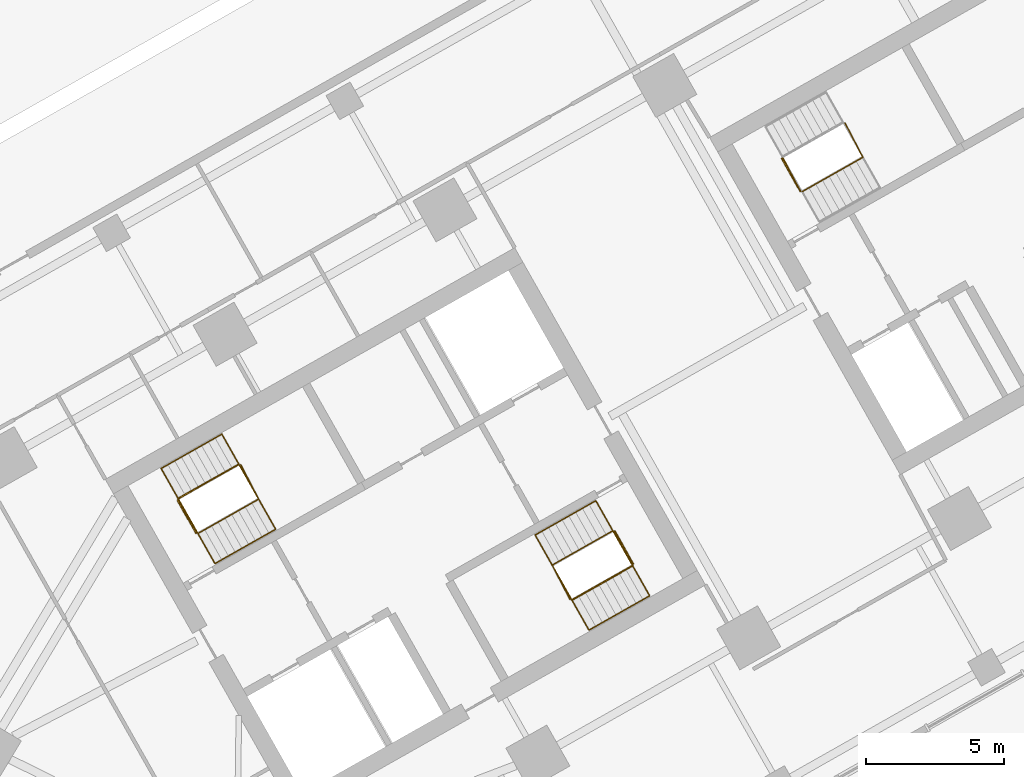
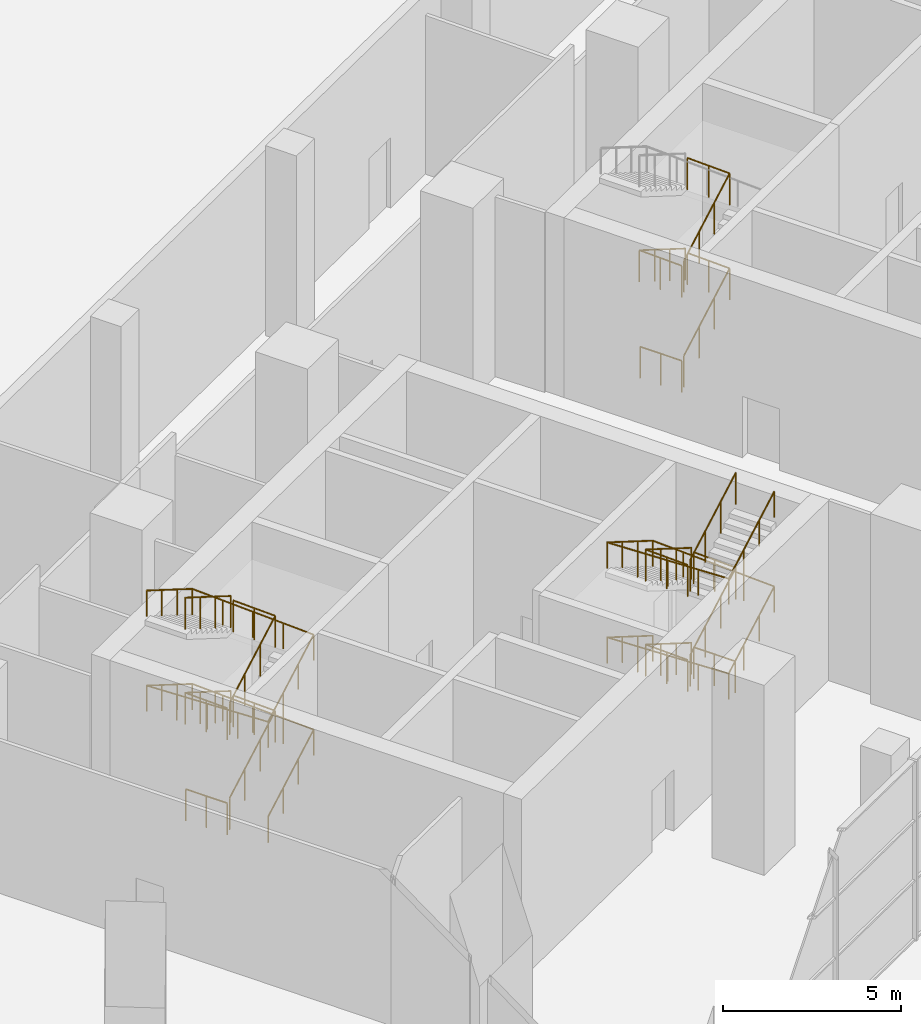
# One storey, part 19 of 22: 16 railings.
"""IFC4 building model written with IfcOpenShell, lengths in metres."""

import ifcopenshell
import ifcopenshell.guid

model = None  # the IFC model being written
_history = None  # IfcOwnerHistory: only IFC2X3 demands one
_inside = {}  # id of a spatial element -> (the spatial element, [elements in it])
_under = {}  # id of a project, library or spatial element -> (it, [spatial elements below it])
_declared = {}  # id of a project -> (the project, [libraries it declares])
_typed = {}  # id of a type object -> (the type object, [elements of that type])
_made_of = {}  # id of a material, layer set ... -> (it, [elements and type objects made of it])


def new_model(schema):
    """Start an empty IFC model of exactly this schema.

    Asked for "IFC4X3", IfcOpenShell would pick the latest addendum, in which some entities
    have other attributes; the version numbers below select the first issue.
    IFC2X3 requires an IfcOwnerHistory on every rooted entity: one is made here for all.
    """
    global model, _history
    if schema == "IFC4X3":
        model = ifcopenshell.file(schema_version=(4, 3, 0, 0))
    else:
        model = ifcopenshell.file(schema=schema)
    _inside.clear()
    _under.clear()
    _declared.clear()
    _typed.clear()
    _made_of.clear()
    _history = None
    if model.schema == "IFC2X3":
        org = make("IfcOrganization", Name="unknown")
        user = make(
            "IfcPersonAndOrganization",
            ThePerson=make("IfcPerson", FamilyName="unknown"),
            TheOrganization=org,
        )
        app = make(
            "IfcApplication",
            ApplicationDeveloper=org,
            Version="unknown",
            ApplicationFullName="unknown",
            ApplicationIdentifier="unknown",
        )
        _history = make(
            "IfcOwnerHistory",
            OwningUser=user,
            OwningApplication=app,
            ChangeAction="ADDED",
            CreationDate=0,
        )
    return model


def make(cls, **values):
    """One entity of the class cls with the attributes given. An attribute that is None is left unset."""
    return model.create_entity(
        cls, **{name: value for name, value in values.items() if value is not None}
    )


def rooted(cls, **values):
    """An entity with a GlobalId (a new one), such as an element, a storey or a relation."""
    return make(cls, GlobalId=ifcopenshell.guid.new(), OwnerHistory=_history, **values)


def si_unit(unit_type, name, prefix=None):
    """IfcSIUnit, for example si_unit("LENGTHUNIT", "METRE", prefix="MILLI")."""
    return make("IfcSIUnit", UnitType=unit_type, Prefix=prefix, Name=name)


def assignment(units):
    """IfcUnitAssignment: the units of a project."""
    return None if units is None else make("IfcUnitAssignment", Units=units)


def point(xyz):
    """IfcCartesianPoint."""
    return None if xyz is None else make("IfcCartesianPoint", Coordinates=xyz)


def direction(xyz):
    """IfcDirection."""
    return None if xyz is None else make("IfcDirection", DirectionRatios=xyz)


def frame(location, z_axis=None, x_axis=None):
    """IfcAxis2Placement3D, a coordinate frame: its origin and axes. An axis left out is left unset."""
    return make(
        "IfcAxis2Placement3D",
        Location=point(location),
        Axis=direction(z_axis),
        RefDirection=direction(x_axis),
    )


def frame_2d(location, x_axis=None):
    """IfcAxis2Placement2D, a coordinate frame in the plane: its origin and x axis."""
    return make(
        "IfcAxis2Placement2D", Location=point(location), RefDirection=direction(x_axis)
    )


def origin():
    """The frame at (0, 0, 0) with its axes left unset."""
    return frame((0.0, 0.0, 0.0))


def origin_2d():
    """The frame at (0, 0) in the plane with its x axis left unset."""
    return frame_2d((0.0, 0.0))


def place(relative_to, where):
    """IfcLocalPlacement: puts the frame where relative to a parent placement (None: the world)."""
    return make(
        "IfcLocalPlacement", PlacementRelTo=relative_to, RelativePlacement=where
    )


def context(
    kind, dimensions, precision=None, world=None, true_north=None, identifier=None
):
    """IfcGeometricRepresentationContext, for example the 3D "Model" context."""
    return make(
        "IfcGeometricRepresentationContext",
        ContextIdentifier=identifier,
        ContextType=kind,
        CoordinateSpaceDimension=dimensions,
        Precision=precision,
        WorldCoordinateSystem=world,
        TrueNorth=true_north,
    )


def subcontext(parent, identifier, kind, view, scale=None):
    """IfcGeometricRepresentationSubContext, for example "Body" below "Model"."""
    return make(
        "IfcGeometricRepresentationSubContext",
        ContextIdentifier=identifier,
        ContextType=kind,
        ParentContext=parent,
        TargetScale=scale,
        TargetView=view,
    )


def project(units=None, contexts=None):
    """IfcProject with its units and contexts."""
    return rooted(
        "IfcProject",
        Name="project",
        RepresentationContexts=contexts,
        UnitsInContext=assignment(units),
    )


def spatial(cls, under=None, at=None, **own):
    """A site, building, storey or space (cls), placed at a placement, below another one or the project."""
    s = rooted(cls, ObjectPlacement=at, **own)
    if under is not None:
        _under.setdefault(under.id(), (under, []))[1].append(s)
    return s


def profile(cls, at=None, kind="AREA", **sizes):
    """A parametric profile (cls). Its sizes go by their IFC names, for example OverallWidth=200.0."""
    return make(cls, ProfileType=kind, Position=at, **sizes)


def circle(**sizes):
    """IfcCircleProfileDef."""
    return profile("IfcCircleProfileDef", **sizes)


def extrude(swept, where, along, depth):
    """IfcExtrudedAreaSolid: the profile swept, set in the frame where, extruded along a direction by depth."""
    return make(
        "IfcExtrudedAreaSolid",
        SweptArea=swept,
        Position=where,
        ExtrudedDirection=direction(along),
        Depth=depth,
    )


def shape(context_of_items, identifier, shape_type, items):
    """IfcShapeRepresentation: the items that make up one representation, for example the "Body"."""
    return make(
        "IfcShapeRepresentation",
        ContextOfItems=context_of_items,
        RepresentationIdentifier=identifier,
        RepresentationType=shape_type,
        Items=items,
    )


def material(Name=None, Category=None):
    """IfcMaterial."""
    return make("IfcMaterial", Name=Name, Category=Category)


def made_of(thing, what):
    """Note that an element or type object is made of a material, layer set ...; save() writes the relation."""
    if what is not None:
        _made_of.setdefault(what.id(), (what, []))[1].append(thing)
    return thing


def type_object(cls, material=None, **own):
    """A type object (cls), such as IfcWallType, which elements share."""
    return made_of(rooted(cls, **own), material)


def element(
    cls,
    number,
    at=None,
    inside=None,
    cuts=None,
    type_object=None,
    material=None,
    context=None,
    identifier="Body",
    shape_type=None,
    held_by="IfcProductDefinitionShape",
    body=None,
    shapes=None,
    **own,
):
    """One element of the class cls, such as IfcWall. Its Tag is "e" and its number.

    at: its placement. inside: the storey or other place that contains it. cuts: it is an
    opening in that element (IfcRelVoidsElement). A single representation is given by context,
    identifier, shape_type and body (its items); several are given by shapes. held_by: the class
    of the entity that holds the representations. save() writes the other relations.
    """
    e = rooted(cls, Tag="e%d" % number, ObjectPlacement=at, **own)
    if body is not None:
        shapes = [shape(context, identifier, shape_type, body)]
    if shapes is not None:
        e.Representation = make(held_by, Representations=shapes)
    if inside is not None:
        _inside.setdefault(inside.id(), (inside, []))[1].append(e)
    if cuts is not None:
        rooted(
            "IfcRelVoidsElement", RelatingBuildingElement=cuts, RelatedOpeningElement=e
        )
    if type_object is not None:
        _typed.setdefault(type_object.id(), (type_object, []))[1].append(e)
    return made_of(e, material)


def aggregate(whole, parts):
    """IfcRelAggregates: a whole, such as a stair, and the parts it consists of."""
    return rooted("IfcRelAggregates", RelatingObject=whole, RelatedObjects=parts)


def save(model, path):
    """Write the relations noted so far, then the file.

    IfcRelAggregates (storeys below a building ...), IfcRelContainedInSpatialStructure (elements
    in a storey), IfcRelDefinesByType, IfcRelAssociatesMaterial and IfcRelDeclares: one each for
    every whole, place, type object, material and project.
    """
    for whole, parts in _under.values():
        aggregate(whole, parts)
    for where, things in _inside.values():
        rooted(
            "IfcRelContainedInSpatialStructure",
            RelatedElements=things,
            RelatingStructure=where,
        )
    for kind, things in _typed.values():
        rooted("IfcRelDefinesByType", RelatedObjects=things, RelatingType=kind)
    for what, things in _made_of.values():
        rooted("IfcRelAssociatesMaterial", RelatedObjects=things, RelatingMaterial=what)
    for by, libraries in _declared.values():
        rooted("IfcRelDeclares", RelatingContext=by, RelatedDefinitions=libraries)
    model.write(path)


model = new_model("IFC4")

# Units and contexts
model_context = context("Model", 3, precision=1e-05, world=origin(), true_north=direction((0.0, 1.0)))
body_context = subcontext(model_context, "Body", "Model", "MODEL_VIEW")
ifc_project = project(units=[si_unit("LENGTHUNIT", "METRE"), si_unit("AREAUNIT", "SQUARE_METRE"), si_unit("VOLUMEUNIT", "CUBIC_METRE"), si_unit("PLANEANGLEUNIT", "RADIAN"), si_unit("MASSUNIT", "GRAM", prefix="KILO")], contexts=[model_context])

# Site, building, storey
site_placement = place(None, origin())
site = spatial("IfcSite", under=ifc_project, at=site_placement, CompositionType="ELEMENT")
building_placement = place(site_placement, origin())
building = spatial("IfcBuilding", under=site, at=building_placement, Name="Binnacle Exchange Tower", CompositionType="ELEMENT")
storey_placement = place(building_placement, origin())
storey = spatial("IfcBuildingStorey", under=building, at=storey_placement, Name="L00", CompositionType="ELEMENT", Elevation=0.0)

# Railings
ifc_material_1 = material(Name="Steel guard rail", Category="steel")
railing_type_1 = type_object("IfcRailingType", Name="STAIR GUARD 1100", PredefinedType="GUARDRAIL", material=ifc_material_1)
railing_1_placement = place(storey_placement, frame((-43.26171875, 39.71728515625, 0.16259765625)))
element("IfcRailing", 1, at=railing_1_placement, inside=storey, type_object=railing_type_1, Name="L00 STA1 stair guard 1", PredefinedType="GUARDRAIL", context=body_context, shape_type="SweptSolid", body=[
    extrude(circle(Radius=0.02392578125, at=origin_2d()), frame((0.0, 0.0, 1.076171875), z_axis=(0.75278361406, 0.425912634714, 0.501911603765), x_axis=(-0.492430705092, 0.870351653461, 0.0)), (0.0, 0.0, 1.0), 2.91357421875),
    extrude(circle(Radius=0.02392578125, at=origin_2d()), frame((2.193359375, 1.240966796875, 2.53857421875), z_axis=(-0.461100321709, 0.887348011391, 0.0), x_axis=(-0.887348011391, -0.461100321709, 0.0)), (0.0, 0.0, 1.0), 1.40087890625),
    extrude(circle(Radius=0.02099609375, at=origin_2d()), origin(), (0.0, 0.0, 1.0), 1.052001953125),
    extrude(circle(Radius=0.02099609375, at=origin_2d()), frame((0.731201171875, 0.41357421875, 0.487548828125)), (0.0, 0.0, 1.0), 1.052001953125),
    extrude(circle(Radius=0.02099609375, at=origin_2d()), frame((1.462158203125, 0.827392578125, 0.974853515625)), (0.0, 0.0, 1.0), 1.052001953125),
    extrude(circle(Radius=0.02099609375, at=origin_2d()), frame((2.193359375, 1.240966796875, 1.46240234375)), (0.0, 0.0, 1.0), 1.052001953125),
    extrude(circle(Radius=0.02099609375, at=origin_2d()), frame((1.870361328125, 1.862548828125, 1.46240234375)), (0.0, 0.0, 1.0), 1.052001953125),
    extrude(circle(Radius=0.02099609375, at=origin_2d()), frame((1.54736328125, 2.484130859375, 1.46240234375)), (0.0, 0.0, 1.0), 1.052001953125),
])
railing_2_placement = place(storey_placement, frame((-41.782470703125, 42.22021484375, 1.78759765625)))
element("IfcRailing", 2, at=railing_2_placement, inside=storey, type_object=railing_type_1, Name="L00 STA1 stair guard 2", PredefinedType="GUARDRAIL", context=body_context, shape_type="SweptSolid", body=[
    extrude(circle(Radius=0.02392578125, at=origin_2d()), frame((0.0, 0.0, 1.076171875), z_axis=(-0.75278361406, -0.425912634714, 0.501911603765), x_axis=(0.492430705092, -0.870351653461, 0.0)), (0.0, 0.0, 1.0), 2.91357421875),
    extrude(circle(Radius=0.02392578125, at=origin_2d()), frame((-2.193359375, -1.240966796875, 2.53857421875), z_axis=(0.461171632143, -0.887310952094, 0.0), x_axis=(0.887310952094, 0.461171632143, 0.0)), (0.0, 0.0, 1.0), 1.40087890625),
    extrude(circle(Radius=0.02099609375, at=origin_2d()), origin(), (0.0, 0.0, 1.0), 1.052001953125),
    extrude(circle(Radius=0.02099609375, at=origin_2d()), frame((-0.731201171875, -0.41357421875, 0.487548828125)), (0.0, 0.0, 1.0), 1.052001953125),
    extrude(circle(Radius=0.02099609375, at=origin_2d()), frame((-1.462158203125, -0.827392578125, 0.974853515625)), (0.0, 0.0, 1.0), 1.052001953125),
    extrude(circle(Radius=0.02099609375, at=origin_2d()), frame((-2.193359375, -1.240966796875, 1.46240234375)), (0.0, 0.0, 1.0), 1.052001953125),
    extrude(circle(Radius=0.02099609375, at=origin_2d()), frame((-1.870361328125, -1.8623046875, 1.46240234375)), (0.0, 0.0, 1.0), 1.052001953125),
    extrude(circle(Radius=0.02099609375, at=origin_2d()), frame((-1.54736328125, -2.48388671875, 1.46240234375)), (0.0, 0.0, 1.0), 1.052001953125),
])
railing_3_placement = place(storey_placement, frame((-43.26171875, 39.71728515625, 3.41259765625)))
element("IfcRailing", 3, at=railing_3_placement, inside=storey, type_object=railing_type_1, Name="L00 STA1 stair guard 3", PredefinedType="GUARDRAIL", context=body_context, shape_type="SweptSolid", body=[
    extrude(circle(Radius=0.02392578125, at=origin_2d()), frame((0.0, 0.0, 1.076171875), z_axis=(0.75278361406, 0.425912634714, 0.501911603765), x_axis=(-0.492430705092, 0.870351653461, 0.0)), (0.0, 0.0, 1.0), 2.91357421875),
    extrude(circle(Radius=0.02392578125, at=origin_2d()), frame((2.193359375, 1.240966796875, 2.53857421875), z_axis=(-0.461100321709, 0.887348011391, 0.0), x_axis=(-0.887348011391, -0.461100321709, 0.0)), (0.0, 0.0, 1.0), 1.40087890625),
    extrude(circle(Radius=0.02099609375, at=origin_2d()), origin(), (0.0, 0.0, 1.0), 1.052001953125),
    extrude(circle(Radius=0.02099609375, at=origin_2d()), frame((0.731201171875, 0.41357421875, 0.487548828125)), (0.0, 0.0, 1.0), 1.052001953125),
    extrude(circle(Radius=0.02099609375, at=origin_2d()), frame((1.462158203125, 0.827392578125, 0.974853515625)), (0.0, 0.0, 1.0), 1.052001953125),
    extrude(circle(Radius=0.02099609375, at=origin_2d()), frame((2.193359375, 1.240966796875, 1.46240234375)), (0.0, 0.0, 1.0), 1.052001953125),
    extrude(circle(Radius=0.02099609375, at=origin_2d()), frame((1.870361328125, 1.862548828125, 1.46240234375)), (0.0, 0.0, 1.0), 1.052001953125),
    extrude(circle(Radius=0.02099609375, at=origin_2d()), frame((1.54736328125, 2.484130859375, 1.46240234375)), (0.0, 0.0, 1.0), 1.052001953125),
])
railing_4_placement = place(storey_placement, frame((-41.782470703125, 42.22021484375, 5.03759765625)))
element("IfcRailing", 4, at=railing_4_placement, inside=storey, type_object=railing_type_1, Name="L00 STA1 stair guard 4", PredefinedType="GUARDRAIL", context=body_context, shape_type="SweptSolid", body=[
    extrude(circle(Radius=0.02392578125, at=origin_2d()), frame((0.0, 0.0, 1.076171875), z_axis=(-0.75278361406, -0.425912634714, 0.501911603765), x_axis=(0.492430705092, -0.870351653461, 0.0)), (0.0, 0.0, 1.0), 2.91357421875),
    extrude(circle(Radius=0.02099609375, at=origin_2d()), origin(), (0.0, 0.0, 1.0), 1.052001953125),
    extrude(circle(Radius=0.02099609375, at=origin_2d()), frame((-0.731201171875, -0.41357421875, 0.487548828125)), (0.0, 0.0, 1.0), 1.052001953125),
    extrude(circle(Radius=0.02099609375, at=origin_2d()), frame((-1.462158203125, -0.827392578125, 0.974853515625)), (0.0, 0.0, 1.0), 1.052001953125),
    extrude(circle(Radius=0.02099609375, at=origin_2d()), frame((-2.193359375, -1.240966796875, 1.46240234375)), (0.0, 0.0, 1.0), 1.052001953125),
])
railing_5_placement = place(storey_placement, frame((-43.329833984375, 39.736328125, 0.0)))
element("IfcRailing", 5, at=railing_5_placement, inside=storey, type_object=railing_type_1, Name="L00 STA1 stair guard 5", PredefinedType="GUARDRAIL", context=body_context, shape_type="SweptSolid", body=[
    extrude(circle(Radius=0.02392578125, at=origin_2d()), frame((0.0, 0.0, 1.076171875), z_axis=(-0.4924922531, 0.870316827734, 0.0), x_axis=(-0.870316827734, -0.4924922531, 0.0)), (0.0, 0.0, 1.0), 1.349853515625),
    extrude(circle(Radius=0.02099609375, at=origin_2d()), origin(), (0.0, 0.0, 1.0), 1.052001953125),
    extrude(circle(Radius=0.02099609375, at=origin_2d()), frame((-0.33251953125, 0.58740234375, 0.0)), (0.0, 0.0, 1.0), 1.052001953125),
    extrude(circle(Radius=0.02099609375, at=origin_2d()), frame((-0.664794921875, 1.1748046875, 0.0)), (0.0, 0.0, 1.0), 1.052001953125),
])
railing_6_placement = place(storey_placement, frame((-28.265380859375, 39.814453125, 0.16259765625)))
element("IfcRailing", 6, at=railing_6_placement, inside=storey, type_object=railing_type_1, Name="L00 STA2 stair guard 1", PredefinedType="GUARDRAIL", context=body_context, shape_type="SweptSolid", body=[
    extrude(circle(Radius=0.02392578125, at=origin_2d()), frame((0.0, 0.0, 1.076171875), z_axis=(-0.75278361406, -0.425912634714, 0.501911603765), x_axis=(0.492430705092, -0.870351653461, 0.0)), (0.0, 0.0, 1.0), 2.91357421875),
    extrude(circle(Radius=0.02392578125, at=origin_2d()), frame((-2.193359375, -1.240966796875, 2.53857421875), z_axis=(0.461100321709, -0.887348011391, 0.0), x_axis=(0.887348011391, 0.461100321709, 0.0)), (0.0, 0.0, 1.0), 1.40087890625),
    extrude(circle(Radius=0.02099609375, at=origin_2d()), origin(), (0.0, 0.0, 1.0), 1.052001953125),
    extrude(circle(Radius=0.02099609375, at=origin_2d()), frame((-0.731201171875, -0.41357421875, 0.487548828125)), (0.0, 0.0, 1.0), 1.052001953125),
    extrude(circle(Radius=0.02099609375, at=origin_2d()), frame((-1.462158203125, -0.827392578125, 0.974853515625)), (0.0, 0.0, 1.0), 1.052001953125),
    extrude(circle(Radius=0.02099609375, at=origin_2d()), frame((-2.193359375, -1.240966796875, 1.46240234375)), (0.0, 0.0, 1.0), 1.052001953125),
    extrude(circle(Radius=0.02099609375, at=origin_2d()), frame((-1.870361328125, -1.862548828125, 1.46240234375)), (0.0, 0.0, 1.0), 1.052001953125),
    extrude(circle(Radius=0.02099609375, at=origin_2d()), frame((-1.54736328125, -2.484130859375, 1.46240234375)), (0.0, 0.0, 1.0), 1.052001953125),
])
railing_7_placement = place(storey_placement, frame((-29.74462890625, 37.3115234375, 1.78759765625)))
element("IfcRailing", 7, at=railing_7_placement, inside=storey, type_object=railing_type_1, Name="L00 STA2 stair guard 2", PredefinedType="GUARDRAIL", context=body_context, shape_type="SweptSolid", body=[
    extrude(circle(Radius=0.02392578125, at=origin_2d()), frame((0.0, 0.0, 1.076171875), z_axis=(0.75274730232, 0.425939501023, 0.501943264043), x_axis=(-0.492472228755, 0.870328158746, 0.0)), (0.0, 0.0, 1.0), 2.91357421875),
    extrude(circle(Radius=0.02392578125, at=origin_2d()), frame((2.193115234375, 1.240966796875, 2.53857421875), z_axis=(-0.460963092712, 0.887419307406, 0.0), x_axis=(-0.887419307406, -0.460963092712, 0.0)), (0.0, 0.0, 1.0), 1.40087890625),
    extrude(circle(Radius=0.02099609375, at=origin_2d()), origin(), (0.0, 0.0, 1.0), 1.052001953125),
    extrude(circle(Radius=0.02099609375, at=origin_2d()), frame((0.73095703125, 0.41357421875, 0.487548828125)), (0.0, 0.0, 1.0), 1.052001953125),
    extrude(circle(Radius=0.02099609375, at=origin_2d()), frame((1.462158203125, 0.827392578125, 0.974853515625)), (0.0, 0.0, 1.0), 1.052001953125),
    extrude(circle(Radius=0.02099609375, at=origin_2d()), frame((2.193115234375, 1.240966796875, 1.46240234375)), (0.0, 0.0, 1.0), 1.052001953125),
    extrude(circle(Radius=0.02099609375, at=origin_2d()), frame((1.8701171875, 1.862548828125, 1.46240234375)), (0.0, 0.0, 1.0), 1.052001953125),
    extrude(circle(Radius=0.02099609375, at=origin_2d()), frame((1.54736328125, 2.484130859375, 1.46240234375)), (0.0, 0.0, 1.0), 1.052001953125),
])
railing_8_placement = place(storey_placement, frame((-28.265380859375, 39.814453125, 3.41259765625)))
element("IfcRailing", 8, at=railing_8_placement, inside=storey, type_object=railing_type_1, Name="L00 STA2 stair guard 3", PredefinedType="GUARDRAIL", context=body_context, shape_type="SweptSolid", body=[
    extrude(circle(Radius=0.02392578125, at=origin_2d()), frame((0.0, 0.0, 1.076171875), z_axis=(-0.75278361406, -0.425912634714, 0.501911603765), x_axis=(0.492430705092, -0.870351653461, 0.0)), (0.0, 0.0, 1.0), 2.91357421875),
    extrude(circle(Radius=0.02392578125, at=origin_2d()), frame((-2.193359375, -1.240966796875, 2.53857421875), z_axis=(0.461100321709, -0.887348011391, 0.0), x_axis=(0.887348011391, 0.461100321709, 0.0)), (0.0, 0.0, 1.0), 1.40087890625),
    extrude(circle(Radius=0.02099609375, at=origin_2d()), origin(), (0.0, 0.0, 1.0), 1.052001953125),
    extrude(circle(Radius=0.02099609375, at=origin_2d()), frame((-0.731201171875, -0.41357421875, 0.487548828125)), (0.0, 0.0, 1.0), 1.052001953125),
    extrude(circle(Radius=0.02099609375, at=origin_2d()), frame((-1.462158203125, -0.827392578125, 0.974853515625)), (0.0, 0.0, 1.0), 1.052001953125),
    extrude(circle(Radius=0.02099609375, at=origin_2d()), frame((-2.193359375, -1.240966796875, 1.46240234375)), (0.0, 0.0, 1.0), 1.052001953125),
    extrude(circle(Radius=0.02099609375, at=origin_2d()), frame((-1.870361328125, -1.862548828125, 1.46240234375)), (0.0, 0.0, 1.0), 1.052001953125),
    extrude(circle(Radius=0.02099609375, at=origin_2d()), frame((-1.54736328125, -2.484130859375, 1.46240234375)), (0.0, 0.0, 1.0), 1.052001953125),
])
railing_9_placement = place(storey_placement, frame((-29.74462890625, 37.3115234375, 5.03759765625)))
element("IfcRailing", 9, at=railing_9_placement, inside=storey, type_object=railing_type_1, Name="L00 STA2 stair guard 4", PredefinedType="GUARDRAIL", context=body_context, shape_type="SweptSolid", body=[
    extrude(circle(Radius=0.02392578125, at=origin_2d()), frame((0.0, 0.0, 1.076171875), z_axis=(0.75274730232, 0.425939501023, 0.501943264043), x_axis=(-0.492472228755, 0.870328158746, 0.0)), (0.0, 0.0, 1.0), 2.91357421875),
    extrude(circle(Radius=0.02099609375, at=origin_2d()), origin(), (0.0, 0.0, 1.0), 1.052001953125),
    extrude(circle(Radius=0.02099609375, at=origin_2d()), frame((0.73095703125, 0.41357421875, 0.487548828125)), (0.0, 0.0, 1.0), 1.052001953125),
    extrude(circle(Radius=0.02099609375, at=origin_2d()), frame((1.462158203125, 0.827392578125, 0.974853515625)), (0.0, 0.0, 1.0), 1.052001953125),
    extrude(circle(Radius=0.02099609375, at=origin_2d()), frame((2.193115234375, 1.240966796875, 1.46240234375)), (0.0, 0.0, 1.0), 1.052001953125),
])
railing_10_placement = place(storey_placement, frame((-28.197265625, 39.795654296875, 0.0)))
element("IfcRailing", 10, at=railing_10_placement, inside=storey, type_object=railing_type_1, Name="L00 STA2 stair guard 5", PredefinedType="GUARDRAIL", context=body_context, shape_type="SweptSolid", body=[
    extrude(circle(Radius=0.02392578125, at=origin_2d()), frame((0.0, 0.0, 1.076171875), z_axis=(0.49241474071, -0.870360685654, 0.0), x_axis=(0.870360685654, 0.49241474071, 0.0)), (0.0, 0.0, 1.0), 1.35009765625),
    extrude(circle(Radius=0.02099609375, at=origin_2d()), origin(), (0.0, 0.0, 1.0), 1.052001953125),
    extrude(circle(Radius=0.02099609375, at=origin_2d()), frame((0.33251953125, -0.58740234375, 0.0)), (0.0, 0.0, 1.0), 1.052001953125),
    extrude(circle(Radius=0.02099609375, at=origin_2d()), frame((0.664794921875, -1.175048828125, 0.0)), (0.0, 0.0, 1.0), 1.052001953125),
])
railing_11_placement = place(storey_placement, frame((-21.423828125, 52.07275390625, 0.16259765625)))
element("IfcRailing", 11, at=railing_11_placement, inside=storey, type_object=railing_type_1, Name="L00 STC1 stair guard 1", PredefinedType="GUARDRAIL", context=body_context, shape_type="SweptSolid", body=[
    extrude(circle(Radius=0.02392578125, at=origin_2d()), frame((0.0, 0.0, 1.076171875), z_axis=(0.752810478118, 0.425844039381, 0.50192951513), x_axis=(-0.492357313618, 0.87039317307, 0.0)), (0.0, 0.0, 1.0), 2.91357421875),
    extrude(circle(Radius=0.02392578125, at=origin_2d()), frame((2.193359375, 1.24072265625, 2.53857421875), z_axis=(-0.461100321709, 0.887348011391, 0.0), x_axis=(-0.887348011391, -0.461100321709, 0.0)), (0.0, 0.0, 1.0), 1.40087890625),
    extrude(circle(Radius=0.02099609375, at=origin_2d()), origin(), (0.0, 0.0, 1.0), 1.052001953125),
    extrude(circle(Radius=0.02099609375, at=origin_2d()), frame((0.731201171875, 0.41357421875, 0.487548828125)), (0.0, 0.0, 1.0), 1.052001953125),
    extrude(circle(Radius=0.02099609375, at=origin_2d()), frame((1.462158203125, 0.8271484375, 0.974853515625)), (0.0, 0.0, 1.0), 1.052001953125),
    extrude(circle(Radius=0.02099609375, at=origin_2d()), frame((2.193359375, 1.24072265625, 1.46240234375)), (0.0, 0.0, 1.0), 1.052001953125),
    extrude(circle(Radius=0.02099609375, at=origin_2d()), frame((1.870361328125, 1.8623046875, 1.46240234375)), (0.0, 0.0, 1.0), 1.052001953125),
    extrude(circle(Radius=0.02099609375, at=origin_2d()), frame((1.54736328125, 2.48388671875, 1.46240234375)), (0.0, 0.0, 1.0), 1.052001953125),
])
railing_12_placement = place(storey_placement, frame((-19.944580078125, 54.575439453125, 1.78759765625)))
element("IfcRailing", 12, at=railing_12_placement, inside=storey, type_object=railing_type_1, Name="L00 STC1 stair guard 2", PredefinedType="GUARDRAIL", context=body_context, shape_type="SweptSolid", body=[
    extrude(circle(Radius=0.02392578125, at=origin_2d()), frame((0.0, 0.0, 1.076171875), z_axis=(-0.752774168472, -0.425870903281, 0.501961178798), x_axis=(0.492398835054, -0.870369684236, 0.0)), (0.0, 0.0, 1.0), 2.913330078125),
    extrude(circle(Radius=0.02392578125, at=origin_2d()), frame((-2.193115234375, -1.24072265625, 2.53857421875), z_axis=(0.460963092712, -0.887419307406, 0.0), x_axis=(0.887419307406, 0.460963092712, 0.0)), (0.0, 0.0, 1.0), 1.40087890625),
    extrude(circle(Radius=0.02099609375, at=origin_2d()), origin(), (0.0, 0.0, 1.0), 1.052001953125),
    extrude(circle(Radius=0.02099609375, at=origin_2d()), frame((-0.73095703125, -0.41357421875, 0.487548828125)), (0.0, 0.0, 1.0), 1.052001953125),
    extrude(circle(Radius=0.02099609375, at=origin_2d()), frame((-1.462158203125, -0.8271484375, 0.974853515625)), (0.0, 0.0, 1.0), 1.052001953125),
    extrude(circle(Radius=0.02099609375, at=origin_2d()), frame((-2.193115234375, -1.24072265625, 1.46240234375)), (0.0, 0.0, 1.0), 1.052001953125),
    extrude(circle(Radius=0.02099609375, at=origin_2d()), frame((-1.8701171875, -1.8623046875, 1.46240234375)), (0.0, 0.0, 1.0), 1.052001953125),
    extrude(circle(Radius=0.02099609375, at=origin_2d()), frame((-1.54736328125, -2.48388671875, 1.46240234375)), (0.0, 0.0, 1.0), 1.052001953125),
])
railing_13_placement = place(storey_placement, frame((-21.423828125, 52.07275390625, 3.41259765625)))
element("IfcRailing", 13, at=railing_13_placement, inside=storey, type_object=railing_type_1, Name="L00 STC1 stair guard 3", PredefinedType="GUARDRAIL", context=body_context, shape_type="SweptSolid", body=[
    extrude(circle(Radius=0.02392578125, at=origin_2d()), frame((0.0, 0.0, 1.076171875), z_axis=(0.752810478118, 0.425844039381, 0.50192951513), x_axis=(-0.492357313618, 0.87039317307, 0.0)), (0.0, 0.0, 1.0), 2.91357421875),
    extrude(circle(Radius=0.02392578125, at=origin_2d()), frame((2.193359375, 1.24072265625, 2.53857421875), z_axis=(-0.461100321709, 0.887348011391, 0.0), x_axis=(-0.887348011391, -0.461100321709, 0.0)), (0.0, 0.0, 1.0), 1.40087890625),
    extrude(circle(Radius=0.02099609375, at=origin_2d()), origin(), (0.0, 0.0, 1.0), 1.052001953125),
    extrude(circle(Radius=0.02099609375, at=origin_2d()), frame((0.731201171875, 0.41357421875, 0.487548828125)), (0.0, 0.0, 1.0), 1.052001953125),
    extrude(circle(Radius=0.02099609375, at=origin_2d()), frame((1.462158203125, 0.8271484375, 0.974853515625)), (0.0, 0.0, 1.0), 1.052001953125),
    extrude(circle(Radius=0.02099609375, at=origin_2d()), frame((2.193359375, 1.24072265625, 1.46240234375)), (0.0, 0.0, 1.0), 1.052001953125),
    extrude(circle(Radius=0.02099609375, at=origin_2d()), frame((1.870361328125, 1.8623046875, 1.46240234375)), (0.0, 0.0, 1.0), 1.052001953125),
    extrude(circle(Radius=0.02099609375, at=origin_2d()), frame((1.54736328125, 2.48388671875, 1.46240234375)), (0.0, 0.0, 1.0), 1.052001953125),
])
railing_14_placement = place(storey_placement, frame((-21.491943359375, 52.091552734375, 0.0)))
element("IfcRailing", 14, at=railing_14_placement, inside=storey, type_object=railing_type_1, Name="L00 STC1 stair guard 5", PredefinedType="GUARDRAIL", context=body_context, shape_type="SweptSolid", body=[
    extrude(circle(Radius=0.02392578125, at=origin_2d()), frame((0.0, 0.0, 1.076171875), z_axis=(-0.49241474071, 0.870360685654, 0.0), x_axis=(-0.870360685654, -0.49241474071, 0.0)), (0.0, 0.0, 1.0), 1.35009765625),
    extrude(circle(Radius=0.02099609375, at=origin_2d()), origin(), (0.0, 0.0, 1.0), 1.052001953125),
    extrude(circle(Radius=0.02099609375, at=origin_2d()), frame((-0.33251953125, 0.58740234375, 0.0)), (0.0, 0.0, 1.0), 1.052001953125),
    extrude(circle(Radius=0.02099609375, at=origin_2d()), frame((-0.664794921875, 1.175048828125, 0.0)), (0.0, 0.0, 1.0), 1.052001953125),
])
ifc_material_2 = material(Name="Steel handrail", Category="steel")
railing_type_2 = type_object("IfcRailingType", Name="STAIR HANDRAIL 900", PredefinedType="HANDRAIL", material=ifc_material_2)
railing_15_placement = place(storey_placement, frame((-42.646240234375, 38.62939453125, 0.16259765625)))
element("IfcRailing", 15, at=railing_15_placement, inside=storey, type_object=railing_type_2, Name="L00 STA1 stair handrail 1", PredefinedType="HANDRAIL", context=body_context, shape_type="SweptSolid", body=[
    extrude(circle(Radius=0.02392578125, at=origin_2d()), frame((0.0, 0.0, 0.8759765625), z_axis=(0.75278361406, 0.425912634714, 0.501911603765), x_axis=(-0.492430705092, 0.870351653461, 0.0)), (0.0, 0.0, 1.0), 2.91357421875),
    extrude(circle(Radius=0.02392578125, at=origin_2d()), frame((2.193359375, 1.240966796875, 2.33837890625), z_axis=(-0.492023398672, 0.869609825117, 0.041130611713), x_axis=(-0.87034633103, -0.492440112159, 0.0)), (0.0, 0.0, 1.0), 3.953125),
    extrude(circle(Radius=0.02392578125, at=origin_2d()), frame((0.248291015625, 4.6787109375, 2.5009765625), z_axis=(-0.752810478118, -0.425844039381, 0.50192951513), x_axis=(0.492357313618, -0.87039317307, 0.0)), (0.0, 0.0, 1.0), 2.91357421875),
    extrude(circle(Radius=0.02392578125, at=origin_2d()), frame((-1.945068359375, 3.43798828125, 3.96337890625), z_axis=(0.491996975706, -0.869624879113, 0.041128402889), x_axis=(0.870361318571, 0.492413622004, 0.0)), (0.0, 0.0, 1.0), 3.953369140625),
    extrude(circle(Radius=0.02392578125, at=origin_2d()), frame((0.0, 0.0, 4.1259765625), z_axis=(0.75278361406, 0.425912634714, 0.501911603765), x_axis=(-0.492430705092, 0.870351653461, 0.0)), (0.0, 0.0, 1.0), 2.91357421875),
    extrude(circle(Radius=0.02392578125, at=origin_2d()), frame((2.193359375, 1.240966796875, 5.58837890625), z_axis=(-0.492023398672, 0.869609825117, 0.041130611713), x_axis=(-0.87034633103, -0.492440112159, 0.0)), (0.0, 0.0, 1.0), 3.953125),
    extrude(circle(Radius=0.02392578125, at=origin_2d()), frame((0.248291015625, 4.6787109375, 5.7509765625), z_axis=(-0.752810478118, -0.425844039381, 0.50192951513), x_axis=(0.492357313618, -0.87039317307, 0.0)), (0.0, 0.0, 1.0), 2.91357421875),
    extrude(circle(Radius=0.02099609375, at=origin_2d()), origin(), (0.0, 0.0, 1.0), 0.851806640625),
    extrude(circle(Radius=0.02099609375, at=origin_2d()), frame((0.731201171875, 0.41357421875, 0.487548828125)), (0.0, 0.0, 1.0), 0.851806640625),
    extrude(circle(Radius=0.02099609375, at=origin_2d()), frame((1.462158203125, 0.827392578125, 0.974853515625)), (0.0, 0.0, 1.0), 0.851806640625),
    extrude(circle(Radius=0.02099609375, at=origin_2d()), frame((2.193359375, 1.240966796875, 1.46240234375)), (0.0, 0.0, 1.0), 0.851806640625),
    extrude(circle(Radius=0.02099609375, at=origin_2d()), frame((1.70703125, 2.100341796875, 1.5029296875)), (0.0, 0.0, 1.0), 0.851806640625),
    extrude(circle(Radius=0.02099609375, at=origin_2d()), frame((1.220703125, 2.9599609375, 1.543701171875)), (0.0, 0.0, 1.0), 0.851806640625),
    extrude(circle(Radius=0.02099609375, at=origin_2d()), frame((0.734619140625, 3.8193359375, 1.58447265625)), (0.0, 0.0, 1.0), 0.851806640625),
    extrude(circle(Radius=0.02099609375, at=origin_2d()), frame((0.248291015625, 4.6787109375, 1.625)), (0.0, 0.0, 1.0), 0.851806640625),
    extrude(circle(Radius=0.02099609375, at=origin_2d()), frame((-0.48291015625, 4.26513671875, 2.112548828125)), (0.0, 0.0, 1.0), 0.851806640625),
    extrude(circle(Radius=0.02099609375, at=origin_2d()), frame((-1.2138671875, 3.8515625, 2.599853515625)), (0.0, 0.0, 1.0), 0.851806640625),
    extrude(circle(Radius=0.02099609375, at=origin_2d()), frame((-1.945068359375, 3.43798828125, 3.08740234375)), (0.0, 0.0, 1.0), 0.851806640625),
    extrude(circle(Radius=0.02099609375, at=origin_2d()), frame((-1.458740234375, 2.57861328125, 3.1279296875)), (0.0, 0.0, 1.0), 0.851806640625),
    extrude(circle(Radius=0.02099609375, at=origin_2d()), frame((-0.97265625, 1.718994140625, 3.168701171875)), (0.0, 0.0, 1.0), 0.851806640625),
    extrude(circle(Radius=0.02099609375, at=origin_2d()), frame((-0.486328125, 0.859375, 3.20947265625)), (0.0, 0.0, 1.0), 0.851806640625),
    extrude(circle(Radius=0.02099609375, at=origin_2d()), frame((0.0, 0.0, 3.25)), (0.0, 0.0, 1.0), 0.851806640625),
    extrude(circle(Radius=0.02099609375, at=origin_2d()), frame((0.731201171875, 0.41357421875, 3.737548828125)), (0.0, 0.0, 1.0), 0.851806640625),
    extrude(circle(Radius=0.02099609375, at=origin_2d()), frame((1.462158203125, 0.827392578125, 4.224853515625)), (0.0, 0.0, 1.0), 0.851806640625),
    extrude(circle(Radius=0.02099609375, at=origin_2d()), frame((2.193359375, 1.240966796875, 4.71240234375)), (0.0, 0.0, 1.0), 0.851806640625),
    extrude(circle(Radius=0.02099609375, at=origin_2d()), frame((1.70703125, 2.100341796875, 4.7529296875)), (0.0, 0.0, 1.0), 0.851806640625),
    extrude(circle(Radius=0.02099609375, at=origin_2d()), frame((1.220703125, 2.9599609375, 4.793701171875)), (0.0, 0.0, 1.0), 0.851806640625),
    extrude(circle(Radius=0.02099609375, at=origin_2d()), frame((0.734619140625, 3.8193359375, 4.83447265625)), (0.0, 0.0, 1.0), 0.851806640625),
    extrude(circle(Radius=0.02099609375, at=origin_2d()), frame((0.248291015625, 4.6787109375, 4.875)), (0.0, 0.0, 1.0), 0.851806640625),
    extrude(circle(Radius=0.02099609375, at=origin_2d()), frame((-0.48291015625, 4.26513671875, 5.362548828125)), (0.0, 0.0, 1.0), 0.851806640625),
    extrude(circle(Radius=0.02099609375, at=origin_2d()), frame((-1.2138671875, 3.8515625, 5.849853515625)), (0.0, 0.0, 1.0), 0.851806640625),
    extrude(circle(Radius=0.02099609375, at=origin_2d()), frame((-1.945068359375, 3.43798828125, 6.33740234375)), (0.0, 0.0, 1.0), 0.851806640625),
])
railing_16_placement = place(storey_placement, frame((-28.880859375, 40.90234375, 0.16259765625)))
element("IfcRailing", 16, at=railing_16_placement, inside=storey, type_object=railing_type_2, Name="L00 STA2 stair handrail 1", PredefinedType="HANDRAIL", context=body_context, shape_type="SweptSolid", body=[
    extrude(circle(Radius=0.02392578125, at=origin_2d()), frame((0.0, 0.0, 0.8759765625), z_axis=(-0.752810478118, -0.425844039381, 0.50192951513), x_axis=(0.492357313618, -0.87039317307, 0.0)), (0.0, 0.0, 1.0), 2.91357421875),
    extrude(circle(Radius=0.02392578125, at=origin_2d()), frame((-2.193359375, -1.24072265625, 2.33837890625), z_axis=(0.491996975706, -0.869624879113, 0.041128402889), x_axis=(0.870361318571, 0.492413622004, 0.0)), (0.0, 0.0, 1.0), 3.953369140625),
    extrude(circle(Radius=0.02392578125, at=origin_2d()), frame((-0.248291015625, -4.6787109375, 2.5009765625), z_axis=(0.75278361406, 0.425912634714, 0.501911603765), x_axis=(-0.492430705092, 0.870351653461, 0.0)), (0.0, 0.0, 1.0), 2.91357421875),
    extrude(circle(Radius=0.02392578125, at=origin_2d()), frame((1.945068359375, -3.437744140625, 3.96337890625), z_axis=(-0.492023398672, 0.869609825117, 0.041130611713), x_axis=(-0.87034633103, -0.492440112159, 0.0)), (0.0, 0.0, 1.0), 3.953125),
    extrude(circle(Radius=0.02392578125, at=origin_2d()), frame((0.0, 0.0, 4.1259765625), z_axis=(-0.752810478118, -0.425844039381, 0.50192951513), x_axis=(0.492357313618, -0.87039317307, 0.0)), (0.0, 0.0, 1.0), 2.91357421875),
    extrude(circle(Radius=0.02392578125, at=origin_2d()), frame((-2.193359375, -1.24072265625, 5.58837890625), z_axis=(0.491996975706, -0.869624879113, 0.041128402889), x_axis=(0.870361318571, 0.492413622004, 0.0)), (0.0, 0.0, 1.0), 3.953369140625),
    extrude(circle(Radius=0.02392578125, at=origin_2d()), frame((-0.248291015625, -4.6787109375, 5.7509765625), z_axis=(0.75278361406, 0.425912634714, 0.501911603765), x_axis=(-0.492430705092, 0.870351653461, 0.0)), (0.0, 0.0, 1.0), 2.91357421875),
    extrude(circle(Radius=0.02099609375, at=origin_2d()), origin(), (0.0, 0.0, 1.0), 0.851806640625),
    extrude(circle(Radius=0.02099609375, at=origin_2d()), frame((-0.731201171875, -0.41357421875, 0.487548828125)), (0.0, 0.0, 1.0), 0.851806640625),
    extrude(circle(Radius=0.02099609375, at=origin_2d()), frame((-1.462158203125, -0.8271484375, 0.974853515625)), (0.0, 0.0, 1.0), 0.851806640625),
    extrude(circle(Radius=0.02099609375, at=origin_2d()), frame((-2.193359375, -1.24072265625, 1.46240234375)), (0.0, 0.0, 1.0), 0.851806640625),
    extrude(circle(Radius=0.02099609375, at=origin_2d()), frame((-1.70703125, -2.10009765625, 1.5029296875)), (0.0, 0.0, 1.0), 0.851806640625),
    extrude(circle(Radius=0.02099609375, at=origin_2d()), frame((-1.220703125, -2.959716796875, 1.543701171875)), (0.0, 0.0, 1.0), 0.851806640625),
    extrude(circle(Radius=0.02099609375, at=origin_2d()), frame((-0.734619140625, -3.8193359375, 1.58447265625)), (0.0, 0.0, 1.0), 0.851806640625),
    extrude(circle(Radius=0.02099609375, at=origin_2d()), frame((-0.248291015625, -4.6787109375, 1.625)), (0.0, 0.0, 1.0), 0.851806640625),
    extrude(circle(Radius=0.02099609375, at=origin_2d()), frame((0.48291015625, -4.26513671875, 2.112548828125)), (0.0, 0.0, 1.0), 0.851806640625),
    extrude(circle(Radius=0.02099609375, at=origin_2d()), frame((1.2138671875, -3.851318359375, 2.599853515625)), (0.0, 0.0, 1.0), 0.851806640625),
    extrude(circle(Radius=0.02099609375, at=origin_2d()), frame((1.945068359375, -3.437744140625, 3.08740234375)), (0.0, 0.0, 1.0), 0.851806640625),
    extrude(circle(Radius=0.02099609375, at=origin_2d()), frame((1.458740234375, -2.578369140625, 3.1279296875)), (0.0, 0.0, 1.0), 0.851806640625),
    extrude(circle(Radius=0.02099609375, at=origin_2d()), frame((0.97265625, -1.71875, 3.168701171875)), (0.0, 0.0, 1.0), 0.851806640625),
    extrude(circle(Radius=0.02099609375, at=origin_2d()), frame((0.486328125, -0.859375, 3.20947265625)), (0.0, 0.0, 1.0), 0.851806640625),
    extrude(circle(Radius=0.02099609375, at=origin_2d()), frame((0.0, 0.0, 3.25)), (0.0, 0.0, 1.0), 0.851806640625),
    extrude(circle(Radius=0.02099609375, at=origin_2d()), frame((-0.731201171875, -0.41357421875, 3.737548828125)), (0.0, 0.0, 1.0), 0.851806640625),
    extrude(circle(Radius=0.02099609375, at=origin_2d()), frame((-1.462158203125, -0.8271484375, 4.224853515625)), (0.0, 0.0, 1.0), 0.851806640625),
    extrude(circle(Radius=0.02099609375, at=origin_2d()), frame((-2.193359375, -1.24072265625, 4.71240234375)), (0.0, 0.0, 1.0), 0.851806640625),
    extrude(circle(Radius=0.02099609375, at=origin_2d()), frame((-1.70703125, -2.10009765625, 4.7529296875)), (0.0, 0.0, 1.0), 0.851806640625),
    extrude(circle(Radius=0.02099609375, at=origin_2d()), frame((-1.220703125, -2.959716796875, 4.793701171875)), (0.0, 0.0, 1.0), 0.851806640625),
    extrude(circle(Radius=0.02099609375, at=origin_2d()), frame((-0.734619140625, -3.8193359375, 4.83447265625)), (0.0, 0.0, 1.0), 0.851806640625),
    extrude(circle(Radius=0.02099609375, at=origin_2d()), frame((-0.248291015625, -4.6787109375, 4.875)), (0.0, 0.0, 1.0), 0.851806640625),
    extrude(circle(Radius=0.02099609375, at=origin_2d()), frame((0.48291015625, -4.26513671875, 5.362548828125)), (0.0, 0.0, 1.0), 0.851806640625),
    extrude(circle(Radius=0.02099609375, at=origin_2d()), frame((1.2138671875, -3.851318359375, 5.849853515625)), (0.0, 0.0, 1.0), 0.851806640625),
    extrude(circle(Radius=0.02099609375, at=origin_2d()), frame((1.945068359375, -3.437744140625, 6.33740234375)), (0.0, 0.0, 1.0), 0.851806640625),
])

save(model, "model.ifc")
